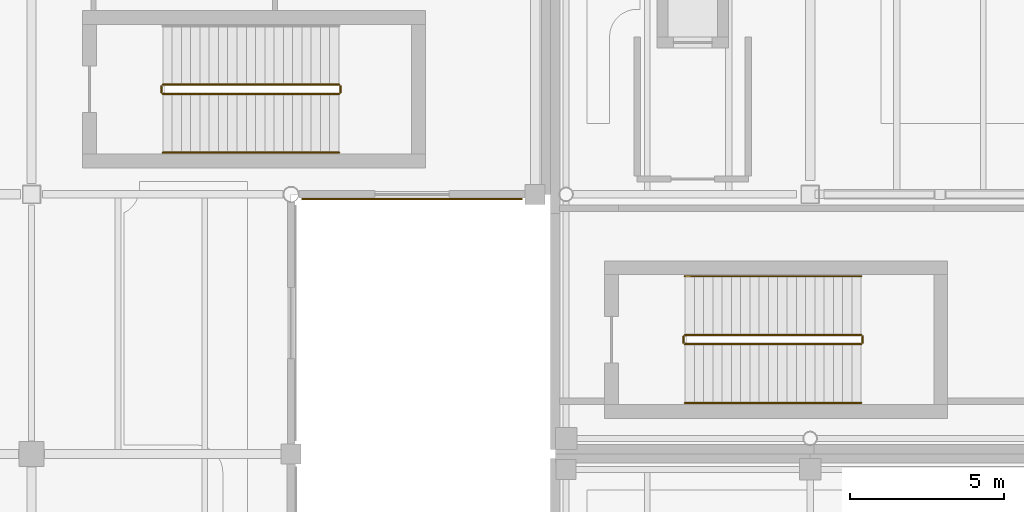
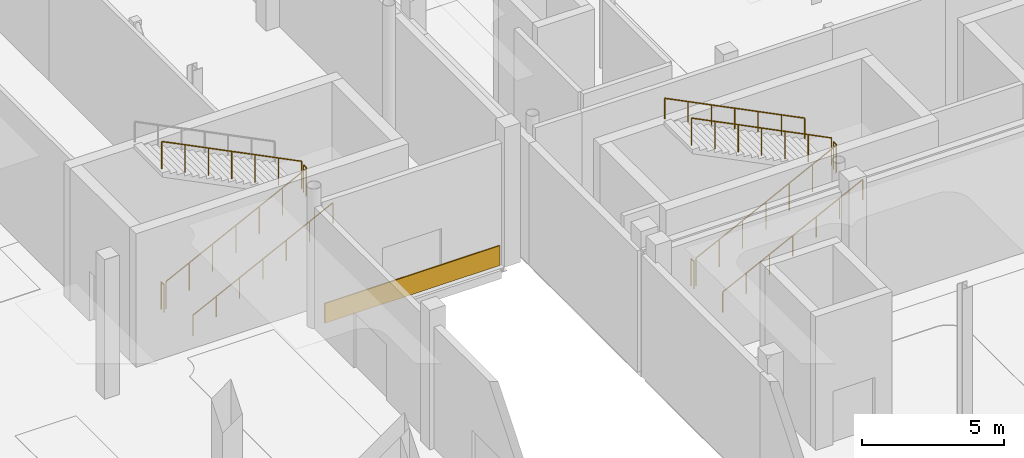
# One storey, part 72 of 85: 11 railings, 1 covering.
"""IFC4 building model written with IfcOpenShell, lengths in metres."""

from ifc_helpers import new_model, si_unit, direction, frame, origin, origin_2d, place, context, subcontext, project, spatial, rectangle, circle, extrude, material, layer, layer_set, type_object, element, save


model = new_model("IFC4")

# Units and contexts
model_context = context("Model", 3, precision=1e-05, world=origin(), true_north=direction((0.0, 1.0)))
body_context = subcontext(model_context, "Body", "Model", "MODEL_VIEW")
ifc_project = project(units=[si_unit("LENGTHUNIT", "METRE"), si_unit("AREAUNIT", "SQUARE_METRE"), si_unit("VOLUMEUNIT", "CUBIC_METRE"), si_unit("PLANEANGLEUNIT", "RADIAN"), si_unit("MASSUNIT", "GRAM", prefix="KILO"), si_unit("THERMODYNAMICTEMPERATUREUNIT", "KELVIN")], contexts=[model_context])

# Site, building, storey
site_placement = place(None, origin())
site = spatial("IfcSite", under=ifc_project, at=site_placement, CompositionType="ELEMENT")
building_placement = place(site_placement, origin())
building = spatial("IfcBuilding", under=site, at=building_placement, Name="Lustrewick Department Store", CompositionType="ELEMENT")
storey_placement = place(building_placement, origin())
storey = spatial("IfcBuildingStorey", under=building, at=storey_placement, Name="L01", CompositionType="ELEMENT", Elevation=0.0)

# Covering
ifc_material_1 = material(Name="Rusticated Fangshan cream limestone", Category="masonry")
ifc_layer = layer(ifc_material_1, 0.050048828125, Name="Rusticated Fangshan cream limestone")
ifc_layer_set = layer_set([ifc_layer], Name="Rusticated Fangshan cream limestone")
covering_type = type_object("IfcCoveringType", Name="CLD-LIME", PredefinedType="CLADDING", material=ifc_layer_set)
covering_placement = place(storey_placement, frame((104.714599609375, 58.655029296875, 0.02490234375), z_axis=(0.0, 0.0, 1.0), x_axis=(1.0, 0.0, 0.0)))
element("IfcCovering", 1, at=covering_placement, inside=storey, type_object=covering_type, Name="L01 Limestone Plinth Band 025", PredefinedType="CLADDING", context=body_context, shape_type="SweptSolid", body=[
    extrude(rectangle(XDim=7.131103515625, YDim=0.050048828125, at=origin_2d()), origin(), (0.0, 0.0, 1.0), 0.85009765625),
])

# Railings
ifc_material_2 = material(Name="Painted tubular steel stairwell guardrail", Category="steel")
railing_type_1 = type_object("IfcRailingType", Name="RL-STG", PredefinedType="GUARDRAIL", material=ifc_material_2)
railing_1_placement = place(storey_placement, frame((96.64990234375, 62.050048828125, 0.14990234375)))
element("IfcRailing", 2, at=railing_1_placement, inside=storey, type_object=railing_type_1, Name="L01 ST05 Stair Guard 1", PredefinedType="GUARDRAIL", context=body_context, shape_type="SweptSolid", body=[
    extrude(circle(Radius=0.02392578125, at=origin_2d()), frame((0.0, 0.0, 1.17578125), z_axis=(0.894427191, 0.0, 0.4472135955), x_axis=(0.0, 1.0, 0.0)), (0.0, 0.0, 1.0), 6.373046875),
    extrude(circle(Radius=0.02099609375, at=origin_2d()), origin(), (0.0, 0.0, 1.0), 1.15185546875),
    extrude(circle(Radius=0.02099609375, at=origin_2d()), frame((0.949951171875, 0.0, 0.47509765625)), (0.0, 0.0, 1.0), 1.15185546875),
    extrude(circle(Radius=0.02099609375, at=origin_2d()), frame((1.900146484375, 0.0, 0.949951171875)), (0.0, 0.0, 1.0), 1.15185546875),
    extrude(circle(Radius=0.02099609375, at=origin_2d()), frame((2.85009765625, 0.0, 1.425048828125)), (0.0, 0.0, 1.0), 1.15185546875),
    extrude(circle(Radius=0.02099609375, at=origin_2d()), frame((3.800048828125, 0.0, 1.900146484375)), (0.0, 0.0, 1.0), 1.15185546875),
    extrude(circle(Radius=0.02099609375, at=origin_2d()), frame((4.750244140625, 0.0, 2.375)), (0.0, 0.0, 1.0), 1.15185546875),
    extrude(circle(Radius=0.02099609375, at=origin_2d()), frame((5.7001953125, 0.0, 2.85009765625)), (0.0, 0.0, 1.0), 1.15185546875),
])
railing_2_placement = place(storey_placement, frame((102.39990234375, 62.10009765625, 3.0)))
element("IfcRailing", 3, at=railing_2_placement, inside=storey, type_object=railing_type_1, Name="L01 ST05 Stair Guard 2", PredefinedType="GUARDRAIL", context=body_context, shape_type="SweptSolid", body=[
    extrude(circle(Radius=0.02392578125, at=origin_2d()), frame((0.0, 0.0, 1.17578125), z_axis=(0.0, 1.0, 0.0), x_axis=(-1.0, 0.0, 0.0)), (0.0, 0.0, 1.0), 0.199951171875),
    extrude(circle(Radius=0.02099609375, at=origin_2d()), origin(), (0.0, 0.0, 1.0), 1.15185546875),
    extrude(circle(Radius=0.02099609375, at=origin_2d()), frame((0.0, 0.199951171875, 0.0)), (0.0, 0.0, 1.0), 1.15185546875),
])
railing_3_placement = place(storey_placement, frame((102.35009765625, 62.35009765625, 3.14990234375)))
element("IfcRailing", 4, at=railing_3_placement, inside=storey, type_object=railing_type_1, Name="L01 ST05 Stair Guard 3", PredefinedType="GUARDRAIL", context=body_context, shape_type="SweptSolid", body=[
    extrude(circle(Radius=0.02392578125, at=origin_2d()), frame((0.0, 0.0, 1.17578125), z_axis=(-0.894427191, 0.0, 0.4472135955), x_axis=(0.0, -1.0, 0.0)), (0.0, 0.0, 1.0), 6.373046875),
    extrude(circle(Radius=0.02099609375, at=origin_2d()), origin(), (0.0, 0.0, 1.0), 1.15185546875),
    extrude(circle(Radius=0.02099609375, at=origin_2d()), frame((-0.949951171875, 0.0, 0.47509765625)), (0.0, 0.0, 1.0), 1.15185546875),
    extrude(circle(Radius=0.02099609375, at=origin_2d()), frame((-1.900146484375, 0.0, 0.949951171875)), (0.0, 0.0, 1.0), 1.15185546875),
    extrude(circle(Radius=0.02099609375, at=origin_2d()), frame((-2.85009765625, 0.0, 1.425048828125)), (0.0, 0.0, 1.0), 1.15185546875),
    extrude(circle(Radius=0.02099609375, at=origin_2d()), frame((-3.800048828125, 0.0, 1.900146484375)), (0.0, 0.0, 1.0), 1.15185546875),
    extrude(circle(Radius=0.02099609375, at=origin_2d()), frame((-4.750244140625, 0.0, 2.375)), (0.0, 0.0, 1.0), 1.15185546875),
    extrude(circle(Radius=0.02099609375, at=origin_2d()), frame((-5.7001953125, 0.0, 2.85009765625)), (0.0, 0.0, 1.0), 1.15185546875),
])
railing_4_placement = place(storey_placement, frame((96.60009765625, 62.10009765625, 0.0)))
element("IfcRailing", 5, at=railing_4_placement, inside=storey, type_object=railing_type_1, Name="L01 ST05 Stair Guard 4", PredefinedType="GUARDRAIL", context=body_context, shape_type="SweptSolid", body=[
    extrude(circle(Radius=0.02392578125, at=origin_2d()), frame((0.0, 0.0, 1.17578125), z_axis=(0.0, 1.0, 0.0), x_axis=(-1.0, 0.0, 0.0)), (0.0, 0.0, 1.0), 0.199951171875),
    extrude(circle(Radius=0.02099609375, at=origin_2d()), origin(), (0.0, 0.0, 1.0), 1.15185546875),
    extrude(circle(Radius=0.02099609375, at=origin_2d()), frame((0.0, 0.199951171875, 0.0)), (0.0, 0.0, 1.0), 1.15185546875),
])
railing_5_placement = place(storey_placement, frame((113.550048828125, 53.949951171875, 0.14990234375)))
element("IfcRailing", 6, at=railing_5_placement, inside=storey, type_object=railing_type_1, Name="L01 ST09 Stair Guard 1", PredefinedType="GUARDRAIL", context=body_context, shape_type="SweptSolid", body=[
    extrude(circle(Radius=0.02392578125, at=origin_2d()), frame((0.0, 0.0, 1.17578125), z_axis=(0.894419528903, 0.0, 0.447228919365), x_axis=(0.0, 1.0, 0.0)), (0.0, 0.0, 1.0), 6.372802734375),
    extrude(circle(Radius=0.02099609375, at=origin_2d()), origin(), (0.0, 0.0, 1.0), 1.15185546875),
    extrude(circle(Radius=0.02099609375, at=origin_2d()), frame((0.949951171875, 0.0, 0.47509765625)), (0.0, 0.0, 1.0), 1.15185546875),
    extrude(circle(Radius=0.02099609375, at=origin_2d()), frame((1.89990234375, 0.0, 0.949951171875)), (0.0, 0.0, 1.0), 1.15185546875),
    extrude(circle(Radius=0.02099609375, at=origin_2d()), frame((2.85009765625, 0.0, 1.425048828125)), (0.0, 0.0, 1.0), 1.15185546875),
    extrude(circle(Radius=0.02099609375, at=origin_2d()), frame((3.800048828125, 0.0, 1.900146484375)), (0.0, 0.0, 1.0), 1.15185546875),
    extrude(circle(Radius=0.02099609375, at=origin_2d()), frame((4.75, 0.0, 2.375)), (0.0, 0.0, 1.0), 1.15185546875),
    extrude(circle(Radius=0.02099609375, at=origin_2d()), frame((5.699951171875, 0.0, 2.85009765625)), (0.0, 0.0, 1.0), 1.15185546875),
])
railing_6_placement = place(storey_placement, frame((119.300048828125, 54.0, 3.0)))
element("IfcRailing", 7, at=railing_6_placement, inside=storey, type_object=railing_type_1, Name="L01 ST09 Stair Guard 2", PredefinedType="GUARDRAIL", context=body_context, shape_type="SweptSolid", body=[
    extrude(circle(Radius=0.02392578125, at=origin_2d()), frame((0.0, 0.0, 1.17578125), z_axis=(0.0, 1.0, 0.0), x_axis=(-1.0, 0.0, 0.0)), (0.0, 0.0, 1.0), 0.199951171875),
    extrude(circle(Radius=0.02099609375, at=origin_2d()), origin(), (0.0, 0.0, 1.0), 1.15185546875),
    extrude(circle(Radius=0.02099609375, at=origin_2d()), frame((0.0, 0.199951171875, 0.0)), (0.0, 0.0, 1.0), 1.15185546875),
])
railing_7_placement = place(storey_placement, frame((119.25, 54.25, 3.14990234375)))
element("IfcRailing", 8, at=railing_7_placement, inside=storey, type_object=railing_type_1, Name="L01 ST09 Stair Guard 3", PredefinedType="GUARDRAIL", context=body_context, shape_type="SweptSolid", body=[
    extrude(circle(Radius=0.02392578125, at=origin_2d()), frame((0.0, 0.0, 1.17578125), z_axis=(-0.894419528903, 0.0, 0.447228919365), x_axis=(0.0, -1.0, 0.0)), (0.0, 0.0, 1.0), 6.372802734375),
    extrude(circle(Radius=0.02099609375, at=origin_2d()), origin(), (0.0, 0.0, 1.0), 1.15185546875),
    extrude(circle(Radius=0.02099609375, at=origin_2d()), frame((-0.949951171875, 0.0, 0.47509765625)), (0.0, 0.0, 1.0), 1.15185546875),
    extrude(circle(Radius=0.02099609375, at=origin_2d()), frame((-1.89990234375, 0.0, 0.949951171875)), (0.0, 0.0, 1.0), 1.15185546875),
    extrude(circle(Radius=0.02099609375, at=origin_2d()), frame((-2.85009765625, 0.0, 1.425048828125)), (0.0, 0.0, 1.0), 1.15185546875),
    extrude(circle(Radius=0.02099609375, at=origin_2d()), frame((-3.800048828125, 0.0, 1.900146484375)), (0.0, 0.0, 1.0), 1.15185546875),
    extrude(circle(Radius=0.02099609375, at=origin_2d()), frame((-4.75, 0.0, 2.375)), (0.0, 0.0, 1.0), 1.15185546875),
    extrude(circle(Radius=0.02099609375, at=origin_2d()), frame((-5.699951171875, 0.0, 2.85009765625)), (0.0, 0.0, 1.0), 1.15185546875),
])
railing_8_placement = place(storey_placement, frame((113.5, 54.0, 0.0)))
element("IfcRailing", 9, at=railing_8_placement, inside=storey, type_object=railing_type_1, Name="L01 ST09 Stair Guard 4", PredefinedType="GUARDRAIL", context=body_context, shape_type="SweptSolid", body=[
    extrude(circle(Radius=0.02392578125, at=origin_2d()), frame((0.0, 0.0, 1.17578125), z_axis=(0.0, 1.0, 0.0), x_axis=(-1.0, 0.0, 0.0)), (0.0, 0.0, 1.0), 0.199951171875),
    extrude(circle(Radius=0.02099609375, at=origin_2d()), origin(), (0.0, 0.0, 1.0), 1.15185546875),
    extrude(circle(Radius=0.02099609375, at=origin_2d()), frame((0.0, 0.199951171875, 0.0)), (0.0, 0.0, 1.0), 1.15185546875),
])
ifc_material_3 = material(Name="Brushed stainless steel wall handrail", Category="steel")
railing_type_2 = type_object("IfcRailingType", Name="RL-STH", PredefinedType="HANDRAIL", material=ifc_material_3)
railing_9_placement = place(storey_placement, frame((96.64990234375, 60.14990234375, 0.14990234375)))
element("IfcRailing", 10, at=railing_9_placement, inside=storey, type_object=railing_type_2, Name="L01 ST05 Stair Handrail 1", PredefinedType="HANDRAIL", context=body_context, shape_type="SweptSolid", body=[
    extrude(circle(Radius=0.02392578125, at=origin_2d()), frame((0.0, 0.0, 0.8759765625), z_axis=(0.894427191, 0.0, 0.4472135955), x_axis=(0.0, 1.0, 0.0)), (0.0, 0.0, 1.0), 6.373046875),
    extrude(circle(Radius=0.02099609375, at=origin_2d()), origin(), (0.0, 0.0, 1.0), 0.851806640625),
    extrude(circle(Radius=0.02099609375, at=origin_2d()), frame((0.949951171875, 0.0, 0.47509765625)), (0.0, 0.0, 1.0), 0.851806640625),
    extrude(circle(Radius=0.02099609375, at=origin_2d()), frame((1.900146484375, 0.0, 0.949951171875)), (0.0, 0.0, 1.0), 0.851806640625),
    extrude(circle(Radius=0.02099609375, at=origin_2d()), frame((2.85009765625, 0.0, 1.425048828125)), (0.0, 0.0, 1.0), 0.851806640625),
    extrude(circle(Radius=0.02099609375, at=origin_2d()), frame((3.800048828125, 0.0, 1.900146484375)), (0.0, 0.0, 1.0), 0.851806640625),
    extrude(circle(Radius=0.02099609375, at=origin_2d()), frame((4.750244140625, 0.0, 2.375)), (0.0, 0.0, 1.0), 0.851806640625),
    extrude(circle(Radius=0.02099609375, at=origin_2d()), frame((5.7001953125, 0.0, 2.85009765625)), (0.0, 0.0, 1.0), 0.851806640625),
])
railing_10_placement = place(storey_placement, frame((113.550048828125, 52.050048828125, 0.14990234375)))
element("IfcRailing", 11, at=railing_10_placement, inside=storey, type_object=railing_type_2, Name="L01 ST09 Stair Handrail 1", PredefinedType="HANDRAIL", context=body_context, shape_type="SweptSolid", body=[
    extrude(circle(Radius=0.02392578125, at=origin_2d()), frame((0.0, 0.0, 0.8759765625), z_axis=(0.894419528903, 0.0, 0.447228919365), x_axis=(0.0, 1.0, 0.0)), (0.0, 0.0, 1.0), 6.372802734375),
    extrude(circle(Radius=0.02099609375, at=origin_2d()), origin(), (0.0, 0.0, 1.0), 0.851806640625),
    extrude(circle(Radius=0.02099609375, at=origin_2d()), frame((0.949951171875, 0.0, 0.47509765625)), (0.0, 0.0, 1.0), 0.851806640625),
    extrude(circle(Radius=0.02099609375, at=origin_2d()), frame((1.89990234375, 0.0, 0.949951171875)), (0.0, 0.0, 1.0), 0.851806640625),
    extrude(circle(Radius=0.02099609375, at=origin_2d()), frame((2.85009765625, 0.0, 1.425048828125)), (0.0, 0.0, 1.0), 0.851806640625),
    extrude(circle(Radius=0.02099609375, at=origin_2d()), frame((3.800048828125, 0.0, 1.900146484375)), (0.0, 0.0, 1.0), 0.851806640625),
    extrude(circle(Radius=0.02099609375, at=origin_2d()), frame((4.75, 0.0, 2.375)), (0.0, 0.0, 1.0), 0.851806640625),
    extrude(circle(Radius=0.02099609375, at=origin_2d()), frame((5.699951171875, 0.0, 2.85009765625)), (0.0, 0.0, 1.0), 0.851806640625),
])
railing_11_placement = place(storey_placement, frame((119.25, 56.14990234375, 3.14990234375)))
element("IfcRailing", 12, at=railing_11_placement, inside=storey, type_object=railing_type_2, Name="L01 ST09 Stair Handrail 2", PredefinedType="HANDRAIL", context=body_context, shape_type="SweptSolid", body=[
    extrude(circle(Radius=0.02392578125, at=origin_2d()), frame((0.0, 0.0, 0.8759765625), z_axis=(-0.894419528903, 0.0, 0.447228919365), x_axis=(0.0, -1.0, 0.0)), (0.0, 0.0, 1.0), 6.372802734375),
    extrude(circle(Radius=0.02099609375, at=origin_2d()), origin(), (0.0, 0.0, 1.0), 0.851806640625),
    extrude(circle(Radius=0.02099609375, at=origin_2d()), frame((-0.949951171875, 0.0, 0.47509765625)), (0.0, 0.0, 1.0), 0.851806640625),
    extrude(circle(Radius=0.02099609375, at=origin_2d()), frame((-1.89990234375, 0.0, 0.949951171875)), (0.0, 0.0, 1.0), 0.851806640625),
    extrude(circle(Radius=0.02099609375, at=origin_2d()), frame((-2.85009765625, 0.0, 1.425048828125)), (0.0, 0.0, 1.0), 0.851806640625),
    extrude(circle(Radius=0.02099609375, at=origin_2d()), frame((-3.800048828125, 0.0, 1.900146484375)), (0.0, 0.0, 1.0), 0.851806640625),
    extrude(circle(Radius=0.02099609375, at=origin_2d()), frame((-4.75, 0.0, 2.375)), (0.0, 0.0, 1.0), 0.851806640625),
    extrude(circle(Radius=0.02099609375, at=origin_2d()), frame((-5.699951171875, 0.0, 2.85009765625)), (0.0, 0.0, 1.0), 0.851806640625),
])

save(model, "model.ifc")
